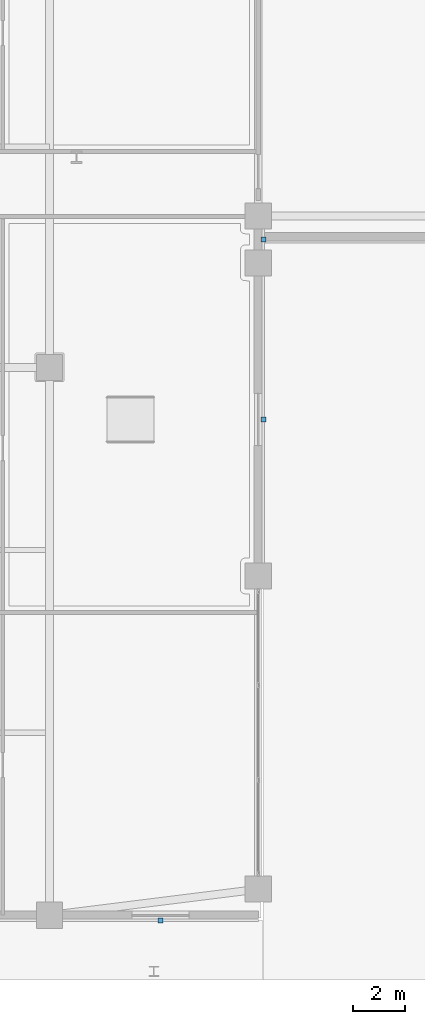
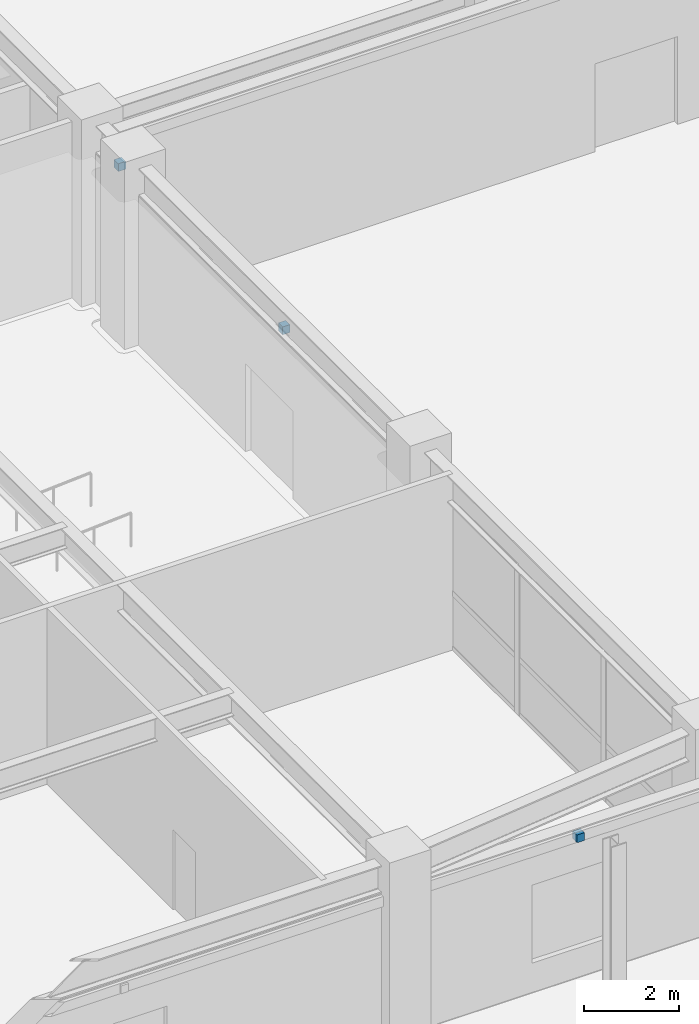
# One storey, part 31 of 40: 3 discrete accessories.
"""IFC4 building model written with IfcOpenShell, lengths in metres."""

from ifc_helpers import new_model, si_unit, derived_unit, direction, frame, origin, origin_2d, place, context, subcontext, project, spatial, rectangle, extrude, source, transform, mapped, material, type_object, element, save


model = new_model("IFC4")

# Units and contexts
model_context = context("Model", 3, precision=1e-05, world=origin(), true_north=direction((0.0, 1.0)))
body_context = subcontext(model_context, "Body", "Model", "MODEL_VIEW")
ifc_project = project(units=[si_unit("LENGTHUNIT", "METRE"), si_unit("AREAUNIT", "SQUARE_METRE"), si_unit("VOLUMEUNIT", "CUBIC_METRE"), si_unit("PLANEANGLEUNIT", "RADIAN"), si_unit("MASSUNIT", "GRAM", prefix="KILO"), derived_unit("THERMALTRANSMITTANCEUNIT", [(si_unit("POWERUNIT", "WATT"), 1), (si_unit("LENGTHUNIT", "METRE"), -2), (si_unit("THERMODYNAMICTEMPERATUREUNIT", "KELVIN"), -1)])], contexts=[model_context])

# Site, building, storey
site_placement = place(None, origin())
site = spatial("IfcSite", under=ifc_project, at=site_placement, CompositionType="ELEMENT")
building_placement = place(site_placement, origin())
building = spatial("IfcBuilding", under=site, at=building_placement, Name="Korsvarv Bourse and Concert Hall", CompositionType="ELEMENT")
storey_placement = place(building_placement, origin())
storey = spatial("IfcBuildingStorey", under=building, at=storey_placement, Name="L00", CompositionType="ELEMENT", Elevation=0.0)

# Discrete accessories
ifc_material = material(Name="Stainless Steel S355 facade outrigger bracket", Category="steel")
discrete_accessory_type = type_object("IfcDiscreteAccessoryType", Name="ACC-BRK-1", PredefinedType="BRACKET", material=ifc_material)
shared_shape = source(origin(), body_context, "Body", "SweptSolid", [
    extrude(rectangle(XDim=0.179931640625, YDim=0.179931640625, at=origin_2d()), origin(), (0.0, 0.0, 1.0), 0.199951171875),
])
for number, where, z_axis, x_axis, name in (
    (1, (62.25244140625, 2.800048828125, 3.56005859375), (0.0, 0.0, 1.0), (1.0, 0.0, 0.0), "L00 terracotta sunshade bracket EW-L00-S6"),
    (2, (66.199951171875, 22.0, 3.56005859375), (0.0, 0.0, 1.0), (0.0, 1.0, 0.0), "L00 terracotta sunshade bracket EW-L00-E2-1"),
    (3, (66.199951171875, 28.89990234375, 3.56005859375), (0.0, 0.0, 1.0), (0.0, 1.0, 0.0), "L00 terracotta sunshade bracket EW-L00-E2-2"),
):
    element("IfcDiscreteAccessory", number, at=place(storey_placement, frame(where, z_axis=z_axis, x_axis=x_axis)), inside=storey, type_object=discrete_accessory_type, Name=name, PredefinedType="BRACKET", context=body_context, shape_type="MappedRepresentation", body=[
        mapped(shared_shape, transform((0.0, 0.0, 0.0), scale=1.0)),
    ])

save(model, "model.ifc")
